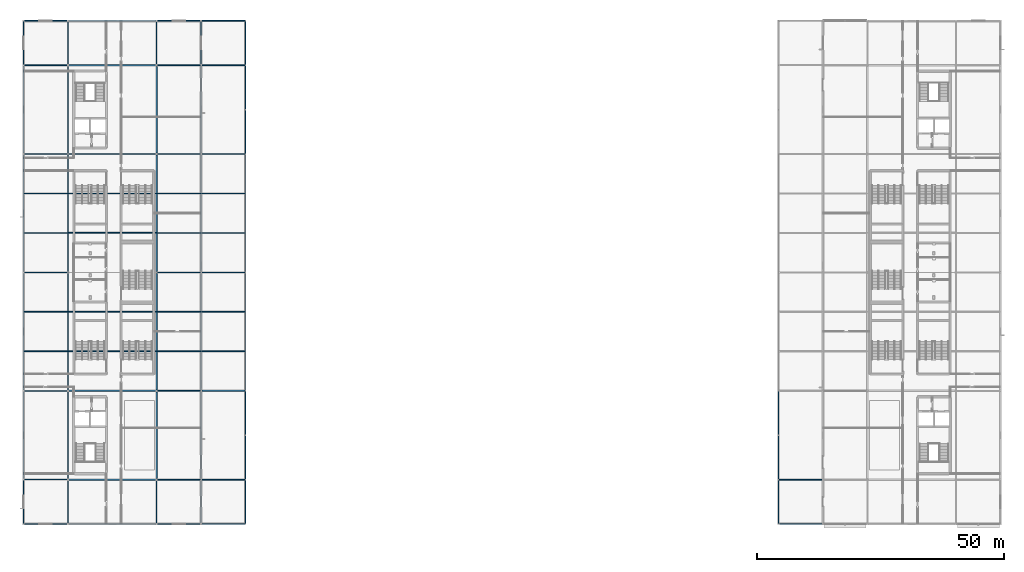
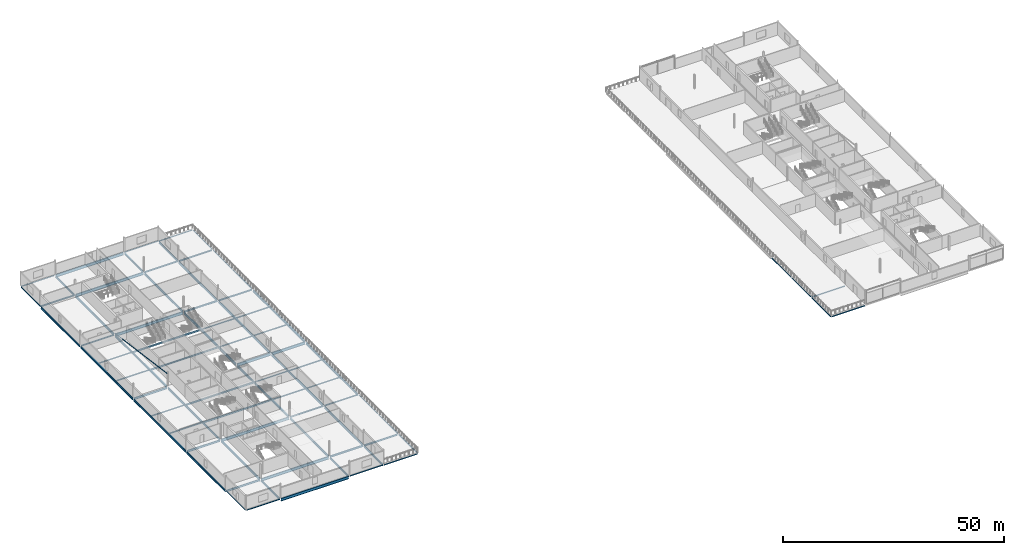
# One storey, part 19 of 55: 80 beams, 1 member.
"""IFC4 building model written with IfcOpenShell, lengths in metres."""

from ifc_helpers import new_model, si_unit, direction, frame, origin, origin_2d, place, context, subcontext, project, spatial, hollow_rectangle, i_section, extrude, material, material_profile, profile_set, type_object, element, save


model = new_model("IFC4")

# Units and contexts
model_context = context("Model", 3, precision=1e-05, world=origin(), true_north=direction((0.0, 1.0)))
body_context = subcontext(model_context, "Body", "Model", "MODEL_VIEW")
ifc_project = project(units=[si_unit("LENGTHUNIT", "METRE"), si_unit("AREAUNIT", "SQUARE_METRE"), si_unit("VOLUMEUNIT", "CUBIC_METRE"), si_unit("PLANEANGLEUNIT", "RADIAN"), si_unit("MASSUNIT", "GRAM", prefix="KILO")], contexts=[model_context])

# Site, building, storey
site_placement = place(None, origin())
site = spatial("IfcSite", under=ifc_project, at=site_placement, CompositionType="ELEMENT")
building_placement = place(site_placement, origin())
building = spatial("IfcBuilding", under=site, at=building_placement, Name="Kisiwana Market Hall", CompositionType="ELEMENT")
storey_placement = place(building_placement, frame((0.0, 0.0, 37.800048828125)))
storey = spatial("IfcBuildingStorey", under=building, at=storey_placement, Name="L08", CompositionType="ELEMENT", Elevation=37.800048828125)

# Beams
ifc_material_1 = material(Name="Steel S355", Category="steel")
ifc_material_profile_1 = material_profile(ifc_material_1, i_section(OverallWidth=0.260009765625, OverallDepth=0.260009765625, WebThickness=0.010009765625, FlangeThickness=0.017578125, FilletRadius=0.02392578125, at=origin_2d()), Name="HEB 260")
ifc_profile_set_1 = profile_set([ifc_material_profile_1], Name="Steel S355")
beam_type_1 = type_object("IfcBeamType", Name="BM-GIRD-HEB260", PredefinedType="BEAM", material=ifc_profile_set_1)
beam_1_placement = place(storey_placement, frame((36.14599609375, 36.0, -0.455078125), z_axis=(1.0, 0.0, 0.0), x_axis=(0.0, 1.0, 0.0)))
element("IfcBeam", 1, at=beam_1_placement, inside=storey, type_object=beam_type_1, Name="Floor beam B-2161", PredefinedType="BEAM", context=body_context, shape_type="SweptSolid", body=[
    extrude(i_section(OverallWidth=0.260009765625, OverallDepth=0.260009765625, WebThickness=0.010009765625, FlangeThickness=0.017578125, FilletRadius=0.02392578125, at=origin_2d()), origin(), (0.0, 0.0, 1.0), 8.7080078125),
])
ifc_material_2 = material(Name="Steel S355", Category="steel")
ifc_material_profile_2 = material_profile(ifc_material_2, i_section(OverallWidth=0.179931640625, OverallDepth=0.39990234375, WebThickness=0.008544921875, FlangeThickness=0.013427734375, FilletRadius=0.02099609375, at=origin_2d()), Name="IPE 400")
ifc_profile_set_2 = profile_set([ifc_material_profile_2], Name="Steel S355")
beam_type_2 = type_object("IfcBeamType", Name="BM-GIRD-IPE400", PredefinedType="BEAM", material=ifc_profile_set_2)
beam_2_placement = place(storey_placement, frame((27.14599609375, 36.0, -0.445068359375), z_axis=(1.0, 0.0, 0.0), x_axis=(0.0, 1.0, 0.0)))
element("IfcBeam", 2, at=beam_2_placement, inside=storey, type_object=beam_type_2, Name="Floor beam B-2160", PredefinedType="BEAM", context=body_context, shape_type="SweptSolid", body=[
    extrude(i_section(OverallWidth=0.179931640625, OverallDepth=0.39990234375, WebThickness=0.008544921875, FlangeThickness=0.013427734375, FilletRadius=0.02099609375, at=origin_2d()), origin(), (0.0, 0.0, 1.0), 8.7080078125),
])
ifc_material_3 = material(Name="Steel S355", Category="steel")
ifc_material_profile_3 = material_profile(ifc_material_3, i_section(OverallWidth=0.18994140625, OverallDepth=0.449951171875, WebThickness=0.009521484375, FlangeThickness=0.0146484375, FilletRadius=0.02099609375, at=origin_2d()), Name="IPE 450")
ifc_profile_set_3 = profile_set([ifc_material_profile_3], Name="Steel S355")
beam_type_3 = type_object("IfcBeamType", Name="BM-GIRD-IPE450", PredefinedType="BEAM", material=ifc_profile_set_3)
beam_3_placement = place(storey_placement, frame((36.14599609375, 18.0, -0.550048828125), z_axis=(1.0, 0.0, 0.0), x_axis=(0.0, 1.0, 0.0)))
element("IfcBeam", 3, at=beam_3_placement, inside=storey, type_object=beam_type_3, Name="Floor beam B-2153", PredefinedType="BEAM", context=body_context, shape_type="SweptSolid", body=[
    extrude(i_section(OverallWidth=0.18994140625, OverallDepth=0.449951171875, WebThickness=0.009521484375, FlangeThickness=0.0146484375, FilletRadius=0.02099609375, at=origin_2d()), origin(), (0.0, 0.0, 1.0), 8.7080078125),
])
ifc_material_4 = material(Name="Steel S355", Category="steel")
ifc_material_profile_4 = material_profile(ifc_material_4, i_section(OverallWidth=0.199951171875, OverallDepth=0.5, WebThickness=0.01025390625, FlangeThickness=0.01611328125, FilletRadius=0.02099609375, at=origin_2d()), Name="IPE 500")
ifc_profile_set_4 = profile_set([ifc_material_profile_4], Name="Steel S355")
beam_type_4 = type_object("IfcBeamType", Name="BM-GIRD-IPE500", PredefinedType="BEAM", material=ifc_profile_set_4)
beam_4_placement = place(storey_placement, frame((27.14599609375, 18.0, -0.4951171875), z_axis=(1.0, 0.0, 0.0), x_axis=(0.0, 1.0, 0.0)))
element("IfcBeam", 4, at=beam_4_placement, inside=storey, type_object=beam_type_4, Name="Floor beam B-2152", PredefinedType="BEAM", context=body_context, shape_type="SweptSolid", body=[
    extrude(i_section(OverallWidth=0.199951171875, OverallDepth=0.5, WebThickness=0.01025390625, FlangeThickness=0.01611328125, FilletRadius=0.02099609375, at=origin_2d()), origin(), (0.0, 0.0, 1.0), 8.7080078125),
])
ifc_material_5 = material(Name="Steel S355", Category="steel")
ifc_material_profile_5 = material_profile(ifc_material_5, i_section(OverallWidth=0.2099609375, OverallDepth=0.550048828125, WebThickness=0.010986328125, FlangeThickness=0.01708984375, FilletRadius=0.02392578125, at=origin_2d()), Name="IPE 550")
ifc_profile_set_5 = profile_set([ifc_material_profile_5], Name="Steel S355")
beam_type_5 = type_object("IfcBeamType", Name="BM-GIRD-IPE550", PredefinedType="BEAM", material=ifc_profile_set_5)
beam_5_placement = place(storey_placement, frame((0.14599609375, 36.0, -0.52001953125), z_axis=(1.0, 0.0, 0.0), x_axis=(0.0, 1.0, 0.0)))
element("IfcBeam", 5, at=beam_5_placement, inside=storey, type_object=beam_type_5, Name="Floor beam B-2158", PredefinedType="BEAM", context=body_context, shape_type="SweptSolid", body=[
    extrude(i_section(OverallWidth=0.2099609375, OverallDepth=0.550048828125, WebThickness=0.010986328125, FlangeThickness=0.01708984375, FilletRadius=0.02392578125, at=origin_2d()), origin(), (0.0, 0.0, 1.0), 8.7080078125),
])
ifc_material_6 = material(Name="Steel S355", Category="steel")
ifc_material_profile_6 = material_profile(ifc_material_6, i_section(OverallWidth=0.210693359375, OverallDepth=0.53955078125, WebThickness=0.01171875, FlangeThickness=0.018798828125, FilletRadius=0.0126953125, at=origin_2d()), Name="UB 533x210x109")
ifc_profile_set_6 = profile_set([ifc_material_profile_6], Name="Steel S355")
beam_type_6 = type_object("IfcBeamType", Name="BM-GIRD-UB109", PredefinedType="BEAM", material=ifc_profile_set_6)
beam_6_placement = place(storey_placement, frame((0.14599609375, 18.0, -0.514892578125), z_axis=(1.0, 0.0, 0.0), x_axis=(0.0, 1.0, 0.0)))
element("IfcBeam", 6, at=beam_6_placement, inside=storey, type_object=beam_type_6, Name="Floor beam B-2150", PredefinedType="BEAM", context=body_context, shape_type="SweptSolid", body=[
    extrude(i_section(OverallWidth=0.210693359375, OverallDepth=0.53955078125, WebThickness=0.01171875, FlangeThickness=0.018798828125, FilletRadius=0.0126953125, at=origin_2d()), origin(), (0.0, 0.0, 1.0), 8.7080078125),
])
ifc_material_7 = material(Name="Steel S355", Category="steel")
ifc_material_profile_7 = material_profile(ifc_material_7, i_section(OverallWidth=0.209228515625, OverallDepth=0.533203125, WebThickness=0.010009765625, FlangeThickness=0.015625, at=origin_2d()), Name="UB 533x210x92")
ifc_profile_set_7 = profile_set([ifc_material_profile_7], Name="Steel S355")
beam_type_7 = type_object("IfcBeamType", Name="BM-GIRD-UB533", PredefinedType="BEAM", material=ifc_profile_set_7)
beam_7_placement = place(storey_placement, frame((0.14599609375, 60.0, -0.51171875), z_axis=(1.0, 0.0, 0.0), x_axis=(0.0, 1.0, 0.0)))
element("IfcBeam", 7, at=beam_7_placement, inside=storey, type_object=beam_type_7, Name="Primary girder B-2076", PredefinedType="BEAM", context=body_context, shape_type="SweptSolid", body=[
    extrude(i_section(OverallWidth=0.209228515625, OverallDepth=0.533203125, WebThickness=0.010009765625, FlangeThickness=0.015625, at=origin_2d()), origin(), (0.0, 0.0, 1.0), 8.7080078125),
])
for number, where, z_axis, x_axis, name in (
    (8, (9.0, 9.220947265625, -0.51171875), (0.0, 1.0, 0.0), (-1.0, 0.0, 0.0), "Primary girder B-2078"),
    (9, (9.0, 102.220947265625, -0.51171875), (0.0, 1.0, 0.0), (-1.0, 0.0, 0.0), "Primary girder B-2083"),
    (10, (27.0, 9.220947265625, -0.51171875), (0.0, 1.0, 0.0), (-1.0, 0.0, 0.0), "Primary girder B-2084"),
    (11, (27.0, 102.220947265625, -0.51171875), (0.0, 1.0, 0.0), (-1.0, 0.0, 0.0), "Primary girder B-2087"),
):
    element("IfcBeam", number, at=place(storey_placement, frame(where, z_axis=z_axis, x_axis=x_axis)), inside=storey, type_object=beam_type_7, Name=name, PredefinedType="BEAM", context=body_context, shape_type="SweptSolid", body=[
        extrude(i_section(OverallWidth=0.209228515625, OverallDepth=0.533203125, WebThickness=0.010009765625, FlangeThickness=0.015625, at=origin_2d()), origin(), (0.0, 0.0, 1.0), 8.55810546875),
    ])
for number, where, z_axis, x_axis, name in (
    (12, (36.0, 9.196044921875, -0.591552734375), (0.0, 1.0, 0.0), (-1.0, 0.0, 0.0), "Primary girder B-2088"),
    (13, (36.0, 102.196044921875, -0.591552734375), (0.0, 1.0, 0.0), (-1.0, 0.0, 0.0), "Primary girder B-2093"),
):
    element("IfcBeam", number, at=place(storey_placement, frame(where, z_axis=z_axis, x_axis=x_axis)), inside=storey, type_object=beam_type_7, Name=name, PredefinedType="BEAM", context=body_context, shape_type="SweptSolid", body=[
        extrude(i_section(OverallWidth=0.209228515625, OverallDepth=0.533203125, WebThickness=0.010009765625, FlangeThickness=0.015625, at=origin_2d()), origin(), (0.0, 0.0, 1.0), 8.60791015625),
    ])
ifc_material_8 = material(Name="Steel S355", Category="steel")
ifc_material_profile_8 = material_profile(ifc_material_8, i_section(OverallWidth=0.22900390625, OverallDepth=0.6123046875, WebThickness=0.011962890625, FlangeThickness=0.01953125, at=origin_2d()), Name="UB 610x229x125")
ifc_profile_set_8 = profile_set([ifc_material_profile_8], Name="Steel S355")
beam_type_8 = type_object("IfcBeamType", Name="BM-GIRD-UB610H", PredefinedType="BEAM", material=ifc_profile_set_8)
beam_8_placement = place(storey_placement, frame((0.0, 18.196044921875, -0.55126953125), z_axis=(0.0, 1.0, 0.0), x_axis=(-1.0, 0.0, 0.0)))
element("IfcBeam", 14, at=beam_8_placement, inside=storey, type_object=beam_type_8, Name="Floor beam B-2193", PredefinedType="BEAM", context=body_context, shape_type="SweptSolid", body=[
    extrude(i_section(OverallWidth=0.22900390625, OverallDepth=0.6123046875, WebThickness=0.011962890625, FlangeThickness=0.01953125, at=origin_2d()), origin(), (0.0, 0.0, 1.0), 17.60791015625),
])
for number, where, z_axis, x_axis, name in (
    (15, (0.0, 36.196044921875, -0.55126953125), (0.0, 1.0, 0.0), (-1.0, 0.0, 0.0), "Floor beam B-2194"),
    (16, (0.0, 60.196044921875, -0.55126953125), (0.0, 1.0, 0.0), (-1.0, 0.0, 0.0), "Floor beam B-2195"),
):
    element("IfcBeam", number, at=place(storey_placement, frame(where, z_axis=z_axis, x_axis=x_axis)), inside=storey, type_object=beam_type_8, Name=name, PredefinedType="BEAM", context=body_context, shape_type="SweptSolid", body=[
        extrude(i_section(OverallWidth=0.22900390625, OverallDepth=0.6123046875, WebThickness=0.011962890625, FlangeThickness=0.01953125, at=origin_2d()), origin(), (0.0, 0.0, 1.0), 23.60791015625),
    ])
beam_9_placement = place(storey_placement, frame((0.0, 84.196044921875, -0.55126953125), z_axis=(0.0, 1.0, 0.0), x_axis=(-1.0, 0.0, 0.0)))
element("IfcBeam", 17, at=beam_9_placement, inside=storey, type_object=beam_type_8, Name="Floor beam B-2196", PredefinedType="BEAM", context=body_context, shape_type="SweptSolid", body=[
    extrude(i_section(OverallWidth=0.22900390625, OverallDepth=0.6123046875, WebThickness=0.011962890625, FlangeThickness=0.01953125, at=origin_2d()), origin(), (0.0, 0.0, 1.0), 17.60791015625),
])
for number, where, z_axis, x_axis, name in (
    (18, (27.0, 36.220947265625, -0.55126953125), (0.0, 1.0, 0.0), (-1.0, 0.0, 0.0), "Floor beam B-2198"),
    (19, (27.0, 60.220947265625, -0.55126953125), (0.0, 1.0, 0.0), (-1.0, 0.0, 0.0), "Floor beam B-2199"),
):
    element("IfcBeam", number, at=place(storey_placement, frame(where, z_axis=z_axis, x_axis=x_axis)), inside=storey, type_object=beam_type_8, Name=name, PredefinedType="BEAM", context=body_context, shape_type="SweptSolid", body=[
        extrude(i_section(OverallWidth=0.22900390625, OverallDepth=0.6123046875, WebThickness=0.011962890625, FlangeThickness=0.01953125, at=origin_2d()), origin(), (0.0, 0.0, 1.0), 23.55810546875),
    ])
for number, where, z_axis, x_axis, name in (
    (20, (45.0, 36.196044921875, -0.631103515625), (0.0, 1.0, 0.0), (-1.0, 0.0, 0.0), "Floor beam B-2203"),
    (21, (45.0, 60.196044921875, -0.631103515625), (0.0, 1.0, 0.0), (-1.0, 0.0, 0.0), "Floor beam B-2204"),
):
    element("IfcBeam", number, at=place(storey_placement, frame(where, z_axis=z_axis, x_axis=x_axis)), inside=storey, type_object=beam_type_8, Name=name, PredefinedType="BEAM", context=body_context, shape_type="SweptSolid", body=[
        extrude(i_section(OverallWidth=0.22900390625, OverallDepth=0.6123046875, WebThickness=0.011962890625, FlangeThickness=0.01953125, at=origin_2d()), origin(), (0.0, 0.0, 1.0), 23.60791015625),
    ])
beam_10_placement = place(storey_placement, frame((9.0, 18.220947265625, -0.55126953125), z_axis=(0.0, 1.0, 0.0), x_axis=(-1.0, 0.0, 0.0)))
element("IfcBeam", 22, at=beam_10_placement, inside=storey, type_object=beam_type_8, Name="Primary girder B-2079", PredefinedType="BEAM", context=body_context, shape_type="SweptSolid", body=[
    extrude(i_section(OverallWidth=0.22900390625, OverallDepth=0.6123046875, WebThickness=0.011962890625, FlangeThickness=0.01953125, at=origin_2d()), origin(), (0.0, 0.0, 1.0), 17.55810546875),
])
for number, where, z_axis, x_axis, name in (
    (23, (9.0, 36.220947265625, -0.55126953125), (0.0, 1.0, 0.0), (-1.0, 0.0, 0.0), "Primary girder B-2080"),
    (24, (9.0, 60.220947265625, -0.55126953125), (0.0, 1.0, 0.0), (-1.0, 0.0, 0.0), "Primary girder B-2081"),
):
    element("IfcBeam", number, at=place(storey_placement, frame(where, z_axis=z_axis, x_axis=x_axis)), inside=storey, type_object=beam_type_8, Name=name, PredefinedType="BEAM", context=body_context, shape_type="SweptSolid", body=[
        extrude(i_section(OverallWidth=0.22900390625, OverallDepth=0.6123046875, WebThickness=0.011962890625, FlangeThickness=0.01953125, at=origin_2d()), origin(), (0.0, 0.0, 1.0), 23.55810546875),
    ])
for number, where, z_axis, x_axis, name in (
    (25, (9.0, 84.220947265625, -0.55126953125), (0.0, 1.0, 0.0), (-1.0, 0.0, 0.0), "Primary girder B-2082"),
    (26, (27.0, 18.220947265625, -0.55126953125), (0.0, 1.0, 0.0), (-1.0, 0.0, 0.0), "Primary girder B-2085"),
    (27, (27.0, 84.220947265625, -0.55126953125), (0.0, 1.0, 0.0), (-1.0, 0.0, 0.0), "Primary girder B-2086"),
):
    element("IfcBeam", number, at=place(storey_placement, frame(where, z_axis=z_axis, x_axis=x_axis)), inside=storey, type_object=beam_type_8, Name=name, PredefinedType="BEAM", context=body_context, shape_type="SweptSolid", body=[
        extrude(i_section(OverallWidth=0.22900390625, OverallDepth=0.6123046875, WebThickness=0.011962890625, FlangeThickness=0.01953125, at=origin_2d()), origin(), (0.0, 0.0, 1.0), 17.55810546875),
    ])
beam_11_placement = place(storey_placement, frame((36.0, 18.196044921875, -0.631103515625), z_axis=(0.0, 1.0, 0.0), x_axis=(-1.0, 0.0, 0.0)))
element("IfcBeam", 28, at=beam_11_placement, inside=storey, type_object=beam_type_8, Name="Primary girder B-2089", PredefinedType="BEAM", context=body_context, shape_type="SweptSolid", body=[
    extrude(i_section(OverallWidth=0.22900390625, OverallDepth=0.6123046875, WebThickness=0.011962890625, FlangeThickness=0.01953125, at=origin_2d()), origin(), (0.0, 0.0, 1.0), 17.60791015625),
])
for number, where, z_axis, x_axis, name in (
    (29, (36.0, 36.196044921875, -0.631103515625), (0.0, 1.0, 0.0), (-1.0, 0.0, 0.0), "Primary girder B-2090"),
    (30, (36.0, 60.196044921875, -0.631103515625), (0.0, 1.0, 0.0), (-1.0, 0.0, 0.0), "Primary girder B-2091"),
):
    element("IfcBeam", number, at=place(storey_placement, frame(where, z_axis=z_axis, x_axis=x_axis)), inside=storey, type_object=beam_type_8, Name=name, PredefinedType="BEAM", context=body_context, shape_type="SweptSolid", body=[
        extrude(i_section(OverallWidth=0.22900390625, OverallDepth=0.6123046875, WebThickness=0.011962890625, FlangeThickness=0.01953125, at=origin_2d()), origin(), (0.0, 0.0, 1.0), 23.60791015625),
    ])
beam_12_placement = place(storey_placement, frame((36.0, 84.196044921875, -0.631103515625), z_axis=(0.0, 1.0, 0.0), x_axis=(-1.0, 0.0, 0.0)))
element("IfcBeam", 31, at=beam_12_placement, inside=storey, type_object=beam_type_8, Name="Primary girder B-2092", PredefinedType="BEAM", context=body_context, shape_type="SweptSolid", body=[
    extrude(i_section(OverallWidth=0.22900390625, OverallDepth=0.6123046875, WebThickness=0.011962890625, FlangeThickness=0.01953125, at=origin_2d()), origin(), (0.0, 0.0, 1.0), 17.60791015625),
])
ifc_material_9 = material(Name="Steel S355", Category="steel")
ifc_material_profile_9 = material_profile(ifc_material_9, i_section(OverallWidth=0.2666015625, OverallDepth=0.76220703125, WebThickness=0.014404296875, FlangeThickness=0.021484375, at=origin_2d()), Name="UB 762x267x173")
ifc_profile_set_9 = profile_set([ifc_material_profile_9], Name="Steel S355")
beam_type_9 = type_object("IfcBeamType", Name="BM-GIRD-UB762", PredefinedType="BEAM", material=ifc_profile_set_9)
for number, where, z_axis, x_axis, name in (
    (32, (9.14599609375, 9.0, -0.626220703125), (1.0, 0.0, 0.0), (0.0, 1.0, 0.0), "Floor beam B-2143"),
    (33, (9.14599609375, 18.0, -0.626220703125), (1.0, 0.0, 0.0), (0.0, 1.0, 0.0), "Floor beam B-2151"),
    (34, (9.14599609375, 36.0, -0.626220703125), (1.0, 0.0, 0.0), (0.0, 1.0, 0.0), "Floor beam B-2159"),
):
    element("IfcBeam", number, at=place(storey_placement, frame(where, z_axis=z_axis, x_axis=x_axis)), inside=storey, type_object=beam_type_9, Name=name, PredefinedType="BEAM", context=body_context, shape_type="SweptSolid", body=[
        extrude(i_section(OverallWidth=0.2666015625, OverallDepth=0.76220703125, WebThickness=0.014404296875, FlangeThickness=0.021484375, at=origin_2d()), origin(), (0.0, 0.0, 1.0), 17.7080078125),
    ])
for number, where, z_axis, x_axis, name in (
    (35, (27.14599609375, 60.0, -0.626220703125), (1.0, 0.0, 0.0), (0.0, 1.0, 0.0), "Floor beam B-2166"),
    (36, (36.14599609375, 60.0, -0.7060546875), (1.0, 0.0, 0.0), (0.0, 1.0, 0.0), "Floor beam B-2074"),
):
    element("IfcBeam", number, at=place(storey_placement, frame(where, z_axis=z_axis, x_axis=x_axis)), inside=storey, type_object=beam_type_9, Name=name, PredefinedType="BEAM", context=body_context, shape_type="SweptSolid", body=[
        extrude(i_section(OverallWidth=0.2666015625, OverallDepth=0.76220703125, WebThickness=0.014404296875, FlangeThickness=0.021484375, at=origin_2d()), origin(), (0.0, 0.0, 1.0), 8.7080078125),
    ])
for number, where, z_axis, x_axis, name in (
    (37, (9.14599609375, 84.0, -0.626220703125), (1.0, 0.0, 0.0), (0.0, 1.0, 0.0), "Floor beam B-2169"),
    (38, (9.14599609375, 102.0, -0.626220703125), (1.0, 0.0, 0.0), (0.0, 1.0, 0.0), "Floor beam B-2177"),
    (39, (9.14599609375, 111.0, -0.626220703125), (1.0, 0.0, 0.0), (0.0, 1.0, 0.0), "Floor beam B-2185"),
):
    element("IfcBeam", number, at=place(storey_placement, frame(where, z_axis=z_axis, x_axis=x_axis)), inside=storey, type_object=beam_type_9, Name=name, PredefinedType="BEAM", context=body_context, shape_type="SweptSolid", body=[
        extrude(i_section(OverallWidth=0.2666015625, OverallDepth=0.76220703125, WebThickness=0.014404296875, FlangeThickness=0.021484375, at=origin_2d()), origin(), (0.0, 0.0, 1.0), 17.7080078125),
    ])
ifc_material_10 = material(Name="Steel S355", Category="steel")
ifc_material_profile_10 = material_profile(ifc_material_10, i_section(OverallWidth=0.135009765625, OverallDepth=0.27001953125, WebThickness=0.006591796875, FlangeThickness=0.01025390625, FilletRadius=0.014892578125, at=origin_2d()), Name="IPE 270")
ifc_profile_set_10 = profile_set([ifc_material_profile_10], Name="Steel S355")
beam_type_10 = type_object("IfcBeamType", Name="BM-JOIST-IPE270", PredefinedType="JOIST", material=ifc_profile_set_10)
beam_13_placement = place(storey_placement, frame((0.14599609375, 102.0, -0.380126953125), z_axis=(1.0, 0.0, 0.0), x_axis=(0.0, 1.0, 0.0)))
element("IfcBeam", 40, at=beam_13_placement, inside=storey, type_object=beam_type_10, Name="Floor beam B-2176", PredefinedType="JOIST", context=body_context, shape_type="SweptSolid", body=[
    extrude(i_section(OverallWidth=0.135009765625, OverallDepth=0.27001953125, WebThickness=0.006591796875, FlangeThickness=0.01025390625, FilletRadius=0.014892578125, at=origin_2d()), origin(), (0.0, 0.0, 1.0), 8.7080078125),
])
ifc_material_11 = material(Name="Steel S355", Category="steel")
ifc_material_profile_11 = material_profile(ifc_material_11, i_section(OverallWidth=0.169921875, OverallDepth=0.360107421875, WebThickness=0.008056640625, FlangeThickness=0.0126953125, FilletRadius=0.01806640625, at=origin_2d()), Name="IPE 360")
ifc_profile_set_11 = profile_set([ifc_material_profile_11], Name="Steel S355")
beam_type_11 = type_object("IfcBeamType", Name="BM-JOIST-IPE360", PredefinedType="JOIST", material=ifc_profile_set_11)
beam_14_placement = place(storey_placement, frame((0.14599609375, 84.0, -0.425048828125), z_axis=(1.0, 0.0, 0.0), x_axis=(0.0, 1.0, 0.0)))
element("IfcBeam", 41, at=beam_14_placement, inside=storey, type_object=beam_type_11, Name="Floor beam B-2168", PredefinedType="JOIST", context=body_context, shape_type="SweptSolid", body=[
    extrude(i_section(OverallWidth=0.169921875, OverallDepth=0.360107421875, WebThickness=0.008056640625, FlangeThickness=0.0126953125, FilletRadius=0.01806640625, at=origin_2d()), origin(), (0.0, 0.0, 1.0), 8.7080078125),
])
ifc_material_12 = material(Name="Steel S355", Category="steel")
ifc_material_profile_12 = material_profile(ifc_material_12, i_section(OverallWidth=0.177978515625, OverallDepth=0.406494140625, WebThickness=0.0078125, FlangeThickness=0.0126953125, FilletRadius=0.01025390625, at=origin_2d()), Name="UB 406x178x60")
ifc_profile_set_12 = profile_set([ifc_material_profile_12], Name="Steel S355")
beam_type_12 = type_object("IfcBeamType", Name="BM-JOIST-UB060", PredefinedType="JOIST", material=ifc_profile_set_12)
beam_15_placement = place(storey_placement, frame((36.14599609375, 102.0, -0.5283203125), z_axis=(1.0, 0.0, 0.0), x_axis=(0.0, 1.0, 0.0)))
element("IfcBeam", 42, at=beam_15_placement, inside=storey, type_object=beam_type_12, Name="Floor beam B-2179", PredefinedType="JOIST", context=body_context, shape_type="SweptSolid", body=[
    extrude(i_section(OverallWidth=0.177978515625, OverallDepth=0.406494140625, WebThickness=0.0078125, FlangeThickness=0.0126953125, FilletRadius=0.01025390625, at=origin_2d()), origin(), (0.0, 0.0, 1.0), 8.7080078125),
])
ifc_material_13 = material(Name="Steel S355", Category="steel")
ifc_material_profile_13 = material_profile(ifc_material_13, i_section(OverallWidth=0.1650390625, OverallDepth=0.303466796875, WebThickness=0.006103515625, FlangeThickness=0.01025390625, at=origin_2d()), Name="UB 305x165x40")
ifc_profile_set_13 = profile_set([ifc_material_profile_13], Name="Steel S355")
beam_type_13 = type_object("IfcBeamType", Name="BM-JOIST-UB305", PredefinedType="JOIST", material=ifc_profile_set_13)
beam_16_placement = place(storey_placement, frame((153.14599609375, 18.0, -0.476806640625), z_axis=(1.0, 0.0, 0.0), x_axis=(0.0, 1.0, 0.0)))
element("IfcBeam", 43, at=beam_16_placement, inside=storey, type_object=beam_type_13, Name="Floor beam B-2154", PredefinedType="JOIST", context=body_context, shape_type="SweptSolid", body=[
    extrude(i_section(OverallWidth=0.1650390625, OverallDepth=0.303466796875, WebThickness=0.006103515625, FlangeThickness=0.01025390625, at=origin_2d()), origin(), (0.0, 0.0, 1.0), 8.7080078125),
])
ifc_material_14 = material(Name="Steel S355", Category="steel")
ifc_material_profile_14 = material_profile(ifc_material_14, i_section(OverallWidth=0.165771484375, OverallDepth=0.306640625, WebThickness=0.006591796875, FlangeThickness=0.01171875, at=origin_2d()), Name="UB 305x165x46")
ifc_profile_set_14 = profile_set([ifc_material_profile_14], Name="Steel S355")
beam_type_14 = type_object("IfcBeamType", Name="BM-JOIST-UB305H", PredefinedType="JOIST", material=ifc_profile_set_14)
for number, where, z_axis, x_axis, name in (
    (44, (0.113525390625, 44.0, -0.3984375), (1.0, 0.0, 0.0), (0.0, 1.0, 0.0), "Secondary floor joist B-2110"),
    (45, (27.113525390625, 44.0, -0.478271484375), (1.0, 0.0, 0.0), (0.0, 1.0, 0.0), "Secondary floor joist B-2112"),
    (46, (36.113525390625, 44.0, -0.478271484375), (1.0, 0.0, 0.0), (0.0, 1.0, 0.0), "Secondary floor joist B-2113"),
    (47, (0.113525390625, 52.0, -0.3984375), (1.0, 0.0, 0.0), (0.0, 1.0, 0.0), "Secondary floor joist B-2118"),
    (48, (27.113525390625, 52.0, -0.478271484375), (1.0, 0.0, 0.0), (0.0, 1.0, 0.0), "Secondary floor joist B-2120"),
    (49, (36.113525390625, 52.0, -0.478271484375), (1.0, 0.0, 0.0), (0.0, 1.0, 0.0), "Secondary floor joist B-2121"),
    (50, (0.113525390625, 68.0, -0.3984375), (1.0, 0.0, 0.0), (0.0, 1.0, 0.0), "Secondary floor joist B-2126"),
    (51, (27.113525390625, 68.0, -0.478271484375), (1.0, 0.0, 0.0), (0.0, 1.0, 0.0), "Secondary floor joist B-2128"),
    (52, (36.113525390625, 68.0, -0.478271484375), (1.0, 0.0, 0.0), (0.0, 1.0, 0.0), "Secondary floor joist B-2129"),
    (53, (0.113525390625, 76.0, -0.3984375), (1.0, 0.0, 0.0), (0.0, 1.0, 0.0), "Secondary floor joist B-2134"),
    (54, (27.113525390625, 76.0, -0.478271484375), (1.0, 0.0, 0.0), (0.0, 1.0, 0.0), "Secondary floor joist B-2136"),
    (55, (36.113525390625, 76.0, -0.478271484375), (1.0, 0.0, 0.0), (0.0, 1.0, 0.0), "Secondary floor joist B-2137"),
):
    element("IfcBeam", number, at=place(storey_placement, frame(where, z_axis=z_axis, x_axis=x_axis)), inside=storey, type_object=beam_type_14, Name=name, PredefinedType="JOIST", context=body_context, shape_type="SweptSolid", body=[
        extrude(i_section(OverallWidth=0.165771484375, OverallDepth=0.306640625, WebThickness=0.006591796875, FlangeThickness=0.01171875, at=origin_2d()), origin(), (0.0, 0.0, 1.0), 8.77294921875),
    ])
ifc_material_15 = material(Name="Steel S355", Category="steel")
ifc_material_profile_15 = material_profile(ifc_material_15, i_section(OverallWidth=0.177734375, OverallDepth=0.402587890625, WebThickness=0.0078125, FlangeThickness=0.010986328125, at=origin_2d()), Name="UB 406x178x54")
ifc_profile_set_15 = profile_set([ifc_material_profile_15], Name="Steel S355")
beam_type_15 = type_object("IfcBeamType", Name="BM-JOIST-UB406", PredefinedType="JOIST", material=ifc_profile_set_15)
beam_17_placement = place(storey_placement, frame((27.14599609375, 102.0, -0.4462890625), z_axis=(1.0, 0.0, 0.0), x_axis=(0.0, 1.0, 0.0)))
element("IfcBeam", 56, at=beam_17_placement, inside=storey, type_object=beam_type_15, Name="Floor beam B-2178", PredefinedType="JOIST", context=body_context, shape_type="SweptSolid", body=[
    extrude(i_section(OverallWidth=0.177734375, OverallDepth=0.402587890625, WebThickness=0.0078125, FlangeThickness=0.010986328125, at=origin_2d()), origin(), (0.0, 0.0, 1.0), 8.7080078125),
])
ifc_material_16 = material(Name="Steel S355", Category="steel")
ifc_material_profile_16 = material_profile(ifc_material_16, i_section(OverallWidth=0.1787109375, OverallDepth=0.409423828125, WebThickness=0.0087890625, FlangeThickness=0.014404296875, at=origin_2d()), Name="UB 406x178x67")
ifc_profile_set_16 = profile_set([ifc_material_profile_16], Name="Steel S355")
beam_type_16 = type_object("IfcBeamType", Name="BM-JOIST-UB406H", PredefinedType="JOIST", material=ifc_profile_set_16)
beam_18_placement = place(storey_placement, frame((36.14599609375, 84.0, -0.52978515625), z_axis=(1.0, 0.0, 0.0), x_axis=(0.0, 1.0, 0.0)))
element("IfcBeam", 57, at=beam_18_placement, inside=storey, type_object=beam_type_16, Name="Floor beam B-2171", PredefinedType="JOIST", context=body_context, shape_type="SweptSolid", body=[
    extrude(i_section(OverallWidth=0.1787109375, OverallDepth=0.409423828125, WebThickness=0.0087890625, FlangeThickness=0.014404296875, at=origin_2d()), origin(), (0.0, 0.0, 1.0), 8.7080078125),
])
ifc_material_17 = material(Name="Steel S355", Category="steel")
ifc_material_profile_17 = material_profile(ifc_material_17, i_section(OverallWidth=0.18994140625, OverallDepth=0.453369140625, WebThickness=0.008544921875, FlangeThickness=0.0126953125, at=origin_2d()), Name="UB 457x191x67")
ifc_profile_set_17 = profile_set([ifc_material_profile_17], Name="Steel S355")
beam_type_17 = type_object("IfcBeamType", Name="BM-JOIST-UB457", PredefinedType="JOIST", material=ifc_profile_set_17)
beam_19_placement = place(storey_placement, frame((27.14599609375, 84.0, -0.4716796875), z_axis=(1.0, 0.0, 0.0), x_axis=(0.0, 1.0, 0.0)))
element("IfcBeam", 58, at=beam_19_placement, inside=storey, type_object=beam_type_17, Name="Floor beam B-2170", PredefinedType="JOIST", context=body_context, shape_type="SweptSolid", body=[
    extrude(i_section(OverallWidth=0.18994140625, OverallDepth=0.453369140625, WebThickness=0.008544921875, FlangeThickness=0.0126953125, at=origin_2d()), origin(), (0.0, 0.0, 1.0), 8.7080078125),
])
for number, where, z_axis, x_axis, name in (
    (59, (9.113525390625, 44.0, -0.4716796875), (1.0, 0.0, 0.0), (0.0, 1.0, 0.0), "Secondary floor joist B-2111"),
    (60, (9.113525390625, 52.0, -0.4716796875), (1.0, 0.0, 0.0), (0.0, 1.0, 0.0), "Secondary floor joist B-2119"),
    (61, (9.113525390625, 68.0, -0.4716796875), (1.0, 0.0, 0.0), (0.0, 1.0, 0.0), "Secondary floor joist B-2127"),
    (62, (9.113525390625, 76.0, -0.4716796875), (1.0, 0.0, 0.0), (0.0, 1.0, 0.0), "Secondary floor joist B-2135"),
):
    element("IfcBeam", number, at=place(storey_placement, frame(where, z_axis=z_axis, x_axis=x_axis)), inside=storey, type_object=beam_type_17, Name=name, PredefinedType="JOIST", context=body_context, shape_type="SweptSolid", body=[
        extrude(i_section(OverallWidth=0.18994140625, OverallDepth=0.453369140625, WebThickness=0.008544921875, FlangeThickness=0.0126953125, at=origin_2d()), origin(), (0.0, 0.0, 1.0), 17.77294921875),
    ])
ifc_material_18 = material(Name="Steel S355", Category="steel")
ifc_material_profile_18 = material_profile(ifc_material_18, hollow_rectangle(XDim=0.14990234375, YDim=0.25, WallThickness=0.010009765625, at=origin_2d()), Name="RHS 250x150x10.0")
ifc_profile_set_18 = profile_set([ifc_material_profile_18], Name="Steel S355")
beam_type_18 = type_object("IfcBeamType", Name="BM-SPAN-RHS250", PredefinedType="SPANDREL", material=ifc_profile_set_18)
for number, where, z_axis, x_axis, name in (
    (63, (0.14599609375, 9.0, -0.3701171875), (1.0, 0.0, 0.0), (0.0, 1.0, 0.0), "Floor beam B-2142"),
    (64, (27.14599609375, 9.0, -0.3701171875), (1.0, 0.0, 0.0), (0.0, 1.0, 0.0), "Floor beam B-2144"),
    (65, (36.14599609375, 9.0, -0.449951171875), (1.0, 0.0, 0.0), (0.0, 1.0, 0.0), "Floor beam B-2145"),
    (66, (153.14599609375, 9.0, -0.449951171875), (1.0, 0.0, 0.0), (0.0, 1.0, 0.0), "Floor beam B-2146"),
    (67, (0.14599609375, 111.0, -0.3701171875), (1.0, 0.0, 0.0), (0.0, 1.0, 0.0), "Floor beam B-2184"),
    (68, (27.14599609375, 111.0, -0.3701171875), (1.0, 0.0, 0.0), (0.0, 1.0, 0.0), "Floor beam B-2186"),
    (69, (36.14599609375, 111.0, -0.449951171875), (1.0, 0.0, 0.0), (0.0, 1.0, 0.0), "Floor beam B-2187"),
):
    element("IfcBeam", number, at=place(storey_placement, frame(where, z_axis=z_axis, x_axis=x_axis)), inside=storey, type_object=beam_type_18, Name=name, PredefinedType="SPANDREL", context=body_context, shape_type="SweptSolid", body=[
        extrude(hollow_rectangle(XDim=0.14990234375, YDim=0.25, WallThickness=0.010009765625, at=origin_2d()), origin(), (0.0, 0.0, 1.0), 8.7080078125),
    ])
for number, where, z_axis, x_axis, name in (
    (70, (0.0, 9.196044921875, -0.3701171875), (0.0, 1.0, 0.0), (-1.0, 0.0, 0.0), "Floor beam B-2192"),
    (71, (0.0, 102.196044921875, -0.3701171875), (0.0, 1.0, 0.0), (-1.0, 0.0, 0.0), "Floor beam B-2197"),
    (72, (45.0, 9.196044921875, -0.449951171875), (0.0, 1.0, 0.0), (-1.0, 0.0, 0.0), "Floor beam B-2200"),
    (73, (45.0, 18.196044921875, -0.449951171875), (0.0, 1.0, 0.0), (-1.0, 0.0, 0.0), "Floor beam B-2201"),
    (74, (45.0, 27.196044921875, -0.449951171875), (0.0, 1.0, 0.0), (-1.0, 0.0, 0.0), "Floor beam B-2202"),
    (75, (45.0, 84.196044921875, -0.449951171875), (0.0, 1.0, 0.0), (-1.0, 0.0, 0.0), "Floor beam B-2205"),
    (76, (45.0, 93.196044921875, -0.449951171875), (0.0, 1.0, 0.0), (-1.0, 0.0, 0.0), "Floor beam B-2206"),
    (77, (45.0, 102.196044921875, -0.449951171875), (0.0, 1.0, 0.0), (-1.0, 0.0, 0.0), "Floor beam B-2207"),
    (78, (153.0, 9.196044921875, -0.449951171875), (0.0, 1.0, 0.0), (-1.0, 0.0, 0.0), "Floor beam B-2208"),
    (79, (153.0, 18.196044921875, -0.449951171875), (0.0, 1.0, 0.0), (-1.0, 0.0, 0.0), "Floor beam B-2209"),
    (80, (153.0, 27.196044921875, -0.449951171875), (0.0, 1.0, 0.0), (-1.0, 0.0, 0.0), "Floor beam B-2210"),
):
    element("IfcBeam", number, at=place(storey_placement, frame(where, z_axis=z_axis, x_axis=x_axis)), inside=storey, type_object=beam_type_18, Name=name, PredefinedType="SPANDREL", context=body_context, shape_type="SweptSolid", body=[
        extrude(hollow_rectangle(XDim=0.14990234375, YDim=0.25, WallThickness=0.010009765625, at=origin_2d()), origin(), (0.0, 0.0, 1.0), 8.60791015625),
    ])

# Member
ifc_material_19 = material(Name="Steel S355", Category="steel")
ifc_material_profile_19 = material_profile(ifc_material_19, hollow_rectangle(XDim=0.14990234375, YDim=0.14990234375, WallThickness=0.008056640625, at=origin_2d()), Name="SHS 150x150x8")
ifc_profile_set_19 = profile_set([ifc_material_profile_19], Name="Steel S355")
member_type = type_object("IfcMemberType", Name="MB-CBF-SHS150", PredefinedType="BRACE", material=ifc_profile_set_19)
member_placement = place(storey_placement, frame((9.0, 84.0, 0.0), z_axis=(0.0, -0.990873420957, 0.134795636581), x_axis=(1.0, 0.0, 0.0)))
element("IfcMember", 81, at=member_placement, inside=storey, type_object=member_type, Name="CBF-W-S diagonal brace (L08) M-0035", PredefinedType="BRACE", context=body_context, shape_type="SweptSolid", body=[
    extrude(hollow_rectangle(XDim=0.14990234375, YDim=0.14990234375, WallThickness=0.008056640625, at=origin_2d()), origin(), (0.0, 0.0, 1.0), 24.220947265625),
])

save(model, "model.ifc")
